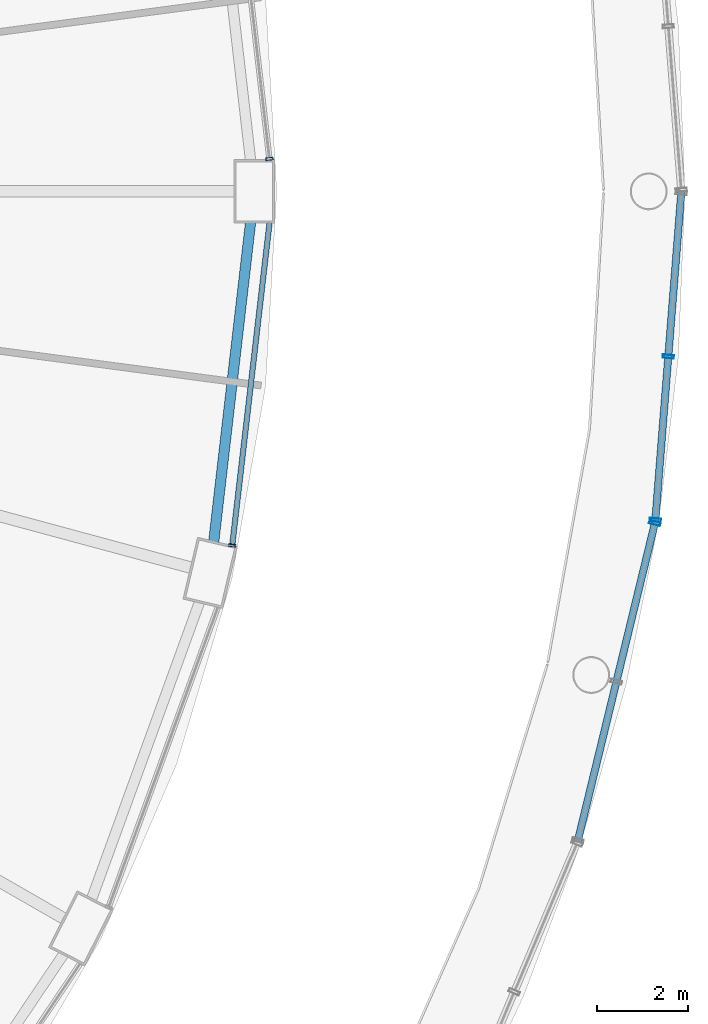
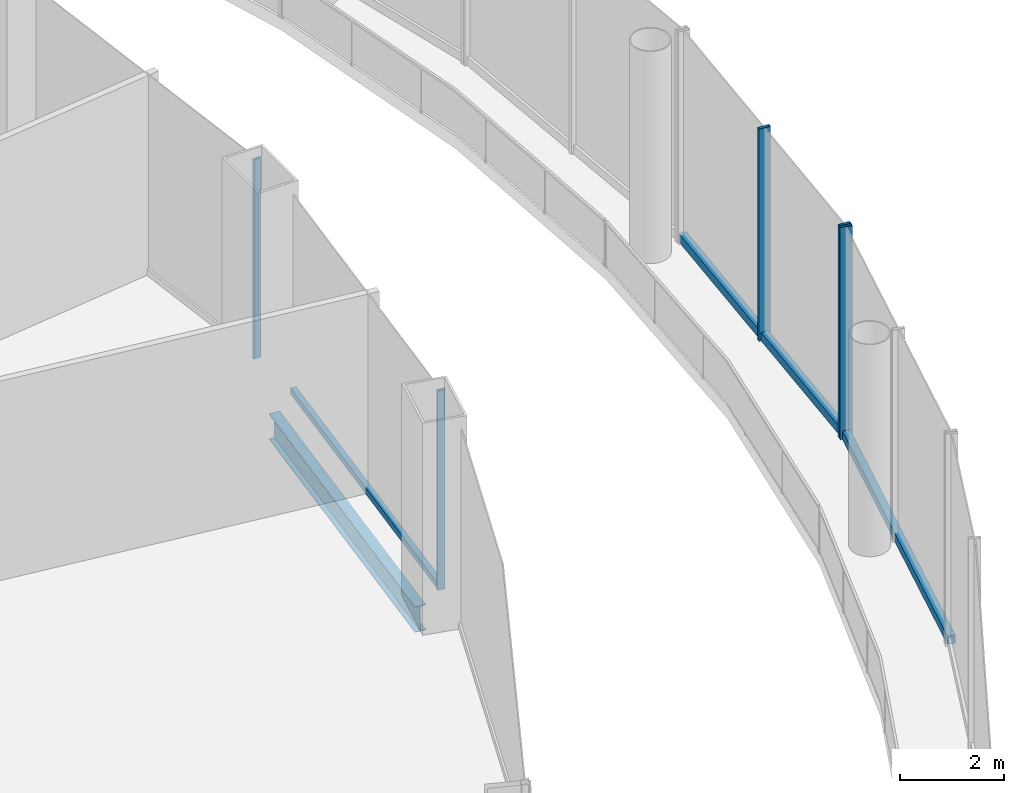
# One storey, part 25 of 47: 8 members, 1 beam, 4 elements without a shape of their own.
"""IFC4 building model written with IfcOpenShell, lengths in metres."""

from ifc_helpers import new_model, si_unit, direction, frame, origin, origin_2d, place, context, subcontext, project, spatial, hollow_rectangle, i_section, extrude, material, layer, layer_set, material_profile, profile_set, type_object, element, aggregate, save


model = new_model("IFC4")

# Units and contexts
model_context = context("Model", 3, precision=1e-05, world=origin(), true_north=direction((0.0, 1.0)))
body_context = subcontext(model_context, "Body", "Model", "MODEL_VIEW")
ifc_project = project(units=[si_unit("LENGTHUNIT", "METRE"), si_unit("AREAUNIT", "SQUARE_METRE"), si_unit("VOLUMEUNIT", "CUBIC_METRE"), si_unit("PLANEANGLEUNIT", "RADIAN"), si_unit("MASSUNIT", "GRAM", prefix="KILO")], contexts=[model_context])

# Site, building, storey
site_placement = place(None, origin())
site = spatial("IfcSite", under=ifc_project, at=site_placement, CompositionType="ELEMENT")
building_placement = place(site_placement, origin())
building = spatial("IfcBuilding", under=site, at=building_placement, Name="Nagisa Residences", CompositionType="ELEMENT")
storey_placement = place(building_placement, frame((0.0, 0.0, 17.0)))
storey = spatial("IfcBuildingStorey", under=building, at=storey_placement, Name="L03", CompositionType="ELEMENT", Elevation=17.0)

# Curtain wall, member
ifc_material_1 = material(Name="Stainless steel curtain wall system", Category="steel")
ifc_layer_1 = layer(ifc_material_1, 0.159912109375)
ifc_layer_set_1 = layer_set([ifc_layer_1], Name="CW3 CURTAIN WALL")
curtain_wall_type_1 = type_object("IfcCurtainWallType", Name="CW3 CURTAIN WALL", PredefinedType="NOTDEFINED", material=ifc_layer_set_1)
curtain_wall_1_placement = place(storey_placement, origin())
curtain_wall_1 = element("IfcCurtainWall", 1, at=curtain_wall_1_placement, inside=storey, type_object=curtain_wall_type_1, Name="cw:CW3:L03:34", PredefinedType="NOTDEFINED")
ifc_material_2 = material(Name="Stainless steel", Category="steel")
ifc_material_profile_1 = material_profile(ifc_material_2, hollow_rectangle(XDim=0.25, YDim=0.080078125, WallThickness=0.008056640625, at=origin_2d()), Name="CW3 MULLION 250x80")
ifc_profile_set_1 = profile_set([ifc_material_profile_1], Name="Stainless steel")
member_type_1 = type_object("IfcMemberType", Name="CW3 MULLION 250x80", PredefinedType="MULLION", material=ifc_profile_set_1)
member_1_placement = place(storey_placement, frame((40.935546875, -7.313232421875, 0.0), z_axis=(0.0, 0.0, 1.0), x_axis=(-0.971848775146, 0.235605514043, 0.0)))
member_1 = element("IfcMember", 2, at=member_1_placement, type_object=member_type_1, Name="CW3 mullion", PredefinedType="MULLION", context=body_context, shape_type="SweptSolid", body=[
    extrude(hollow_rectangle(XDim=0.25, YDim=0.080078125, WallThickness=0.008056640625, at=origin_2d()), origin(), (0.0, 0.0, 1.0), 5.0),
])

# Curtain wall, members
curtain_wall_2_placement = place(storey_placement, origin())
curtain_wall_2 = element("IfcCurtainWall", 3, at=curtain_wall_2_placement, inside=storey, type_object=curtain_wall_type_1, Name="cw:CW3:L03:35", PredefinedType="NOTDEFINED")
member_2_placement = place(storey_placement, frame((40.946044921875, -7.2470703125, 0.0), z_axis=(0.0, 0.0, 1.0), x_axis=(-0.996881777235, 0.078909582539, 0.0)))
member_2 = element("IfcMember", 4, at=member_2_placement, type_object=member_type_1, Name="CW3 mullion", PredefinedType="MULLION", context=body_context, shape_type="SweptSolid", body=[
    extrude(hollow_rectangle(XDim=0.25, YDim=0.080078125, WallThickness=0.008056640625, at=origin_2d()), origin(), (0.0, 0.0, 1.0), 5.0),
])
member_3_placement = place(storey_placement, frame((41.231689453125, -3.640380859375, 0.0), z_axis=(0.0, 0.0, 1.0), x_axis=(-0.996881777235, 0.078909582539, 0.0)))
member_3 = element("IfcMember", 5, at=member_3_placement, type_object=member_type_1, Name="CW3 mullion", PredefinedType="MULLION", context=body_context, shape_type="SweptSolid", body=[
    extrude(hollow_rectangle(XDim=0.25, YDim=0.080078125, WallThickness=0.008056640625, at=origin_2d()), origin(), (0.0, 0.0, 1.0), 5.0),
])

# Member
ifc_material_3 = material(Name="Stainless steel", Category="steel")
ifc_material_profile_2 = material_profile(ifc_material_3, hollow_rectangle(XDim=0.159912109375, YDim=0.199951171875, WallThickness=0.008056640625, at=origin_2d()), Name="CW3 TRANSOM 160x200")
ifc_profile_set_2 = profile_set([ifc_material_profile_2], Name="Stainless steel")
member_type_2 = type_object("IfcMemberType", Name="CW3 TRANSOM 160x200", PredefinedType="USERDEFINED", material=ifc_profile_set_2)
member_4_placement = place(storey_placement, frame((39.23046875, -14.345947265625, 0.10009765625), z_axis=(0.235637477095, 0.97184102578, 0.0), x_axis=(-0.97184102578, 0.235637477095, 0.0)))
member_4 = element("IfcMember", 6, at=member_4_placement, type_object=member_type_2, Name="CW3 transom", ObjectType="TRANSOM", PredefinedType="USERDEFINED", context=body_context, shape_type="SweptSolid", body=[
    extrude(hollow_rectangle(XDim=0.159912109375, YDim=0.199951171875, WallThickness=0.008056640625, at=origin_2d()), origin(), (0.0, 0.0, 1.0), 7.2763671875),
])

aggregate(curtain_wall_1, [member_1, member_4])

member_5_placement = place(storey_placement, frame((40.94287109375, -7.286865234375, 0.10009765625), z_axis=(0.078921540002, 0.996880830653, 0.0), x_axis=(-0.996880830653, 0.078921540002, 0.0)))
member_5 = element("IfcMember", 7, at=member_5_placement, type_object=member_type_2, Name="CW3 transom", ObjectType="TRANSOM", PredefinedType="USERDEFINED", context=body_context, shape_type="SweptSolid", body=[
    extrude(hollow_rectangle(XDim=0.159912109375, YDim=0.199951171875, WallThickness=0.008056640625, at=origin_2d()), origin(), (0.0, 0.0, 1.0), 7.31591796875),
])

aggregate(curtain_wall_2, [member_2, member_3, member_5])

# Curtain wall, member
ifc_material_4 = material(Name="Stainless steel curtain wall system", Category="steel")
ifc_layer_2 = layer(ifc_material_4, 0.159912109375)
ifc_layer_set_2 = layer_set([ifc_layer_2], Name="CW6 CURTAIN WALL")
curtain_wall_type_2 = type_object("IfcCurtainWallType", Name="CW6 CURTAIN WALL", PredefinedType="NOTDEFINED", material=ifc_layer_set_2)
curtain_wall_3_placement = place(storey_placement, origin())
curtain_wall_3 = element("IfcCurtainWall", 8, at=curtain_wall_3_placement, inside=storey, type_object=curtain_wall_type_2, Name="cw:CW6:L03:00", PredefinedType="NOTDEFINED")
ifc_material_5 = material(Name="Stainless steel", Category="steel")
ifc_material_profile_3 = material_profile(ifc_material_5, hollow_rectangle(XDim=0.159912109375, YDim=0.06005859375, WallThickness=0.006103515625, at=origin_2d()), Name="CW6 MULLION 160x60")
ifc_profile_set_3 = profile_set([ifc_material_profile_3], Name="Stainless steel")
member_type_3 = type_object("IfcMemberType", Name="CW6 MULLION 160x60", PredefinedType="MULLION", material=ifc_profile_set_3)
member_6_placement = place(storey_placement, frame((32.4365234375, 0.716064453125, 0.0), z_axis=(0.0, 0.0, 1.0), x_axis=(-0.993373823596, -0.114928006139, 0.0)))
member_6 = element("IfcMember", 9, at=member_6_placement, type_object=member_type_3, Name="CW6 mullion", PredefinedType="MULLION", context=body_context, shape_type="SweptSolid", body=[
    extrude(hollow_rectangle(XDim=0.159912109375, YDim=0.06005859375, WallThickness=0.006103515625, at=origin_2d()), origin(), (0.0, 0.0, 1.0), 4.699951171875),
])
aggregate(curtain_wall_3, [member_6])

# Curtain wall, members
curtain_wall_4_placement = place(storey_placement, origin())
curtain_wall_4 = element("IfcCurtainWall", 10, at=curtain_wall_4_placement, inside=storey, type_object=curtain_wall_type_2, Name="cw:CW6:L03:46", PredefinedType="NOTDEFINED")
member_7_placement = place(storey_placement, frame((31.6162109375, -7.806640625, 0.0), z_axis=(0.0, 0.0, 1.0), x_axis=(-0.993373823596, 0.114928006139, 0.0)))
member_7 = element("IfcMember", 11, at=member_7_placement, type_object=member_type_3, Name="CW6 mullion", PredefinedType="MULLION", context=body_context, shape_type="SweptSolid", body=[
    extrude(hollow_rectangle(XDim=0.159912109375, YDim=0.06005859375, WallThickness=0.006103515625, at=origin_2d()), origin(), (0.0, 0.0, 1.0), 4.699951171875),
])
ifc_material_6 = material(Name="Stainless steel", Category="steel")
ifc_material_profile_4 = material_profile(ifc_material_6, hollow_rectangle(XDim=0.1201171875, YDim=0.14990234375, WallThickness=0.008056640625, at=origin_2d()), Name="CW6 TRANSOM 120x150")
ifc_profile_set_4 = profile_set([ifc_material_profile_4], Name="Stainless steel")
member_type_4 = type_object("IfcMemberType", Name="CW6 TRANSOM 120x150", PredefinedType="USERDEFINED", material=ifc_profile_set_4)
member_8_placement = place(storey_placement, frame((31.61279296875, -7.83642578125, 0.074951171875), z_axis=(0.114949818518, 0.993371299778, 0.0), x_axis=(-0.993371299778, 0.114949818518, 0.0)))
member_8 = element("IfcMember", 12, at=member_8_placement, type_object=member_type_4, Name="CW6 transom", ObjectType="TRANSOM", PredefinedType="USERDEFINED", context=body_context, shape_type="SweptSolid", body=[
    extrude(hollow_rectangle(XDim=0.1201171875, YDim=0.14990234375, WallThickness=0.008056640625, at=origin_2d()), origin(), (0.0, 0.0, 1.0), 7.19775390625),
])
aggregate(curtain_wall_4, [member_7, member_8])

# Beam
ifc_material_7 = material(Name="Steel ASTM A572 Gr 50", Category="steel")
ifc_material_profile_5 = material_profile(ifc_material_7, i_section(OverallWidth=0.22802734375, OverallDepth=0.60302734375, WebThickness=0.010498046875, FlangeThickness=0.014892578125, at=origin_2d()), Name="W610x101")
ifc_profile_set_5 = profile_set([ifc_material_profile_5], Name="Steel ASTM A572 Gr 50")
beam_type = type_object("IfcBeamType", Name="Perimeter ring beam W610x101", PredefinedType="BEAM", material=ifc_profile_set_5)
beam_placement = place(storey_placement, frame((31.20751953125, -7.7314453125, -0.6015625), z_axis=(0.114673717321, 0.993403210462, 0.0), x_axis=(-0.993403210462, 0.114673717321, 0.0)))
element("IfcBeam", 13, at=beam_placement, inside=storey, type_object=beam_type, Name="beam:L03:pb24", PredefinedType="BEAM", context=body_context, shape_type="SweptSolid", body=[
    extrude(i_section(OverallWidth=0.22802734375, OverallDepth=0.60302734375, WebThickness=0.010498046875, FlangeThickness=0.014892578125, at=origin_2d()), origin(), (0.0, 0.0, 1.0), 7.09814453125),
])

save(model, "model.ifc")
